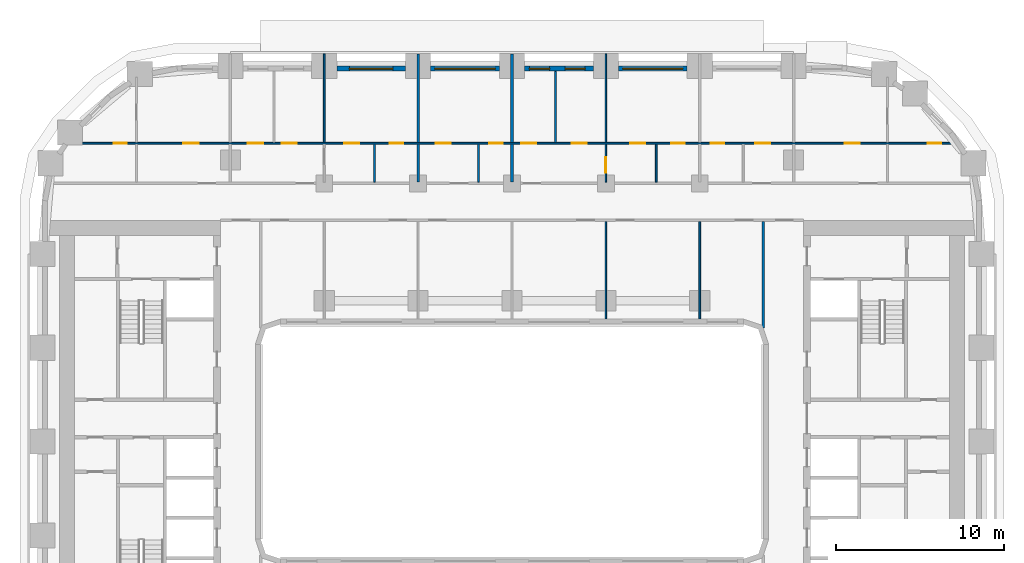
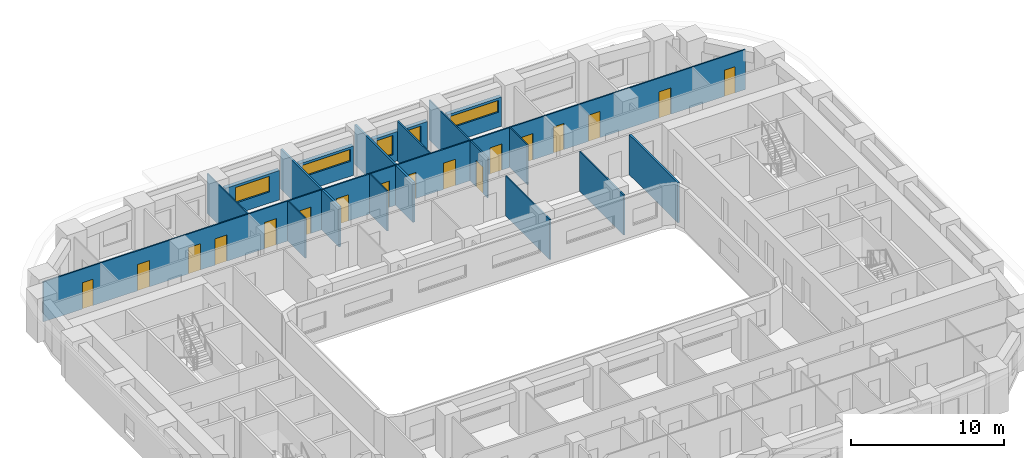
# One storey, part 8 of 20: 19 walls, 17 doors, 5 windows, 22 openings.
"""IFC4 building model written with IfcOpenShell, lengths in metres."""

from ifc_helpers import new_model, si_unit, direction, frame, frame_2d, origin, place, context, subcontext, project, spatial, rectangle, extrude, material, layer, layer_set, type_object, element, fill, save


model = new_model("IFC4")

# Units and contexts
model_context = context("Model", 3, precision=1e-05, world=origin(), true_north=direction((0.0, 1.0)))
body_context = subcontext(model_context, "Body", "Model", "MODEL_VIEW")
ifc_project = project(units=[si_unit("LENGTHUNIT", "METRE"), si_unit("AREAUNIT", "SQUARE_METRE"), si_unit("VOLUMEUNIT", "CUBIC_METRE"), si_unit("PLANEANGLEUNIT", "RADIAN"), si_unit("MASSUNIT", "GRAM", prefix="KILO")], contexts=[model_context])

# Site, building, storey
site_placement = place(None, origin())
site = spatial("IfcSite", under=ifc_project, at=site_placement, CompositionType="ELEMENT")
building_placement = place(site_placement, origin())
building = spatial("IfcBuilding", under=site, at=building_placement, Name="Kiln Ring Residences", CompositionType="ELEMENT")
storey_placement = place(building_placement, frame((0.0, 0.0, 37.5)))
storey = spatial("IfcBuildingStorey", under=building, at=storey_placement, Name="L08", CompositionType="ELEMENT", Elevation=37.5)

# Wall, opening, window
ifc_material_1 = material(Name="Brick masonry, dark clay brick", Category="masonry")
ifc_layer_1 = layer(ifc_material_1, 0.300048828125)
ifc_layer_set_1 = layer_set([ifc_layer_1], Name="EW-300 BRICK WALL")
wall_type_1 = type_object("IfcWallType", Name="EW-300 BRICK WALL", PredefinedType="SOLIDWALL", material=ifc_layer_set_1)
wall_1_placement = place(storey_placement, frame((10.449951171875, 22.25, 0.0), z_axis=(0.0, 0.0, 1.0), x_axis=(-1.0, 0.0, 0.0)))
wall_1 = element("IfcWall", 1, at=wall_1_placement, inside=storey, type_object=wall_type_1, Name="Facade wall L08 30", PredefinedType="SOLIDWALL", context=body_context, shape_type="SweptSolid", body=[
    extrude(rectangle(XDim=4.099853515625, YDim=0.300048828125, at=frame_2d((2.0498046875, 0.0))), origin(), (0.0, 0.0, 1.0), 2.35009765625),
])
opening_1_placement = place(wall_1_placement, frame((0.25, 0.0, 1.199951171875)))
opening_1 = element("IfcOpeningElement", 2, at=opening_1_placement, cuts=wall_1, Name="Opening W4", PredefinedType="OPENING", context=body_context, shape_type="SweptSolid", body=[
    extrude(rectangle(XDim=3.60009765625, YDim=0.949951171875, at=frame_2d((1.800048828125, 0.47509765625))), frame((0.0, 0.159912109375, 0.0), z_axis=(0.0, -1.0, 0.0), x_axis=(1.0, 0.0, 0.0)), (0.0, 0.0, 1.0), 0.320068359375),
])
ifc_material_2 = material(Name="Aluminium frame with double glazing", Category="aluminium")
window_type_1 = type_object("IfcWindowType", Name="WINDOW 3600 x 950", PartitioningType="SINGLE_PANEL", PredefinedType="WINDOW", material=ifc_material_2)
window_1_placement = place(opening_1_placement, origin())
window_1 = element("IfcWindow", 3, at=window_1_placement, inside=storey, type_object=window_type_1, Name="Window L08 15", OverallHeight=0.949951171875, OverallWidth=3.60009765625, PartitioningType="SINGLE_PANEL", PredefinedType="WINDOW", context=body_context, shape_type="SweptSolid", body=[
    extrude(rectangle(XDim=3.60009765625, YDim=0.949951171875, at=frame_2d((1.800048828125, 0.47509765625))), frame((0.0, 0.030029296875, 0.0), z_axis=(0.0, -1.0, 0.0), x_axis=(1.0, 0.0, 0.0)), (0.0, 0.0, 1.0), 0.06005859375),
])
fill(opening_1, window_1)

# Wall, openings, windows
wall_2_placement = place(storey_placement, frame((4.85009765625, 22.25, 0.0), z_axis=(0.0, 0.0, 1.0), x_axis=(-1.0, 0.0, 0.0)))
wall_2 = element("IfcWall", 4, at=wall_2_placement, inside=storey, type_object=wall_type_1, Name="Facade wall L08 31", PredefinedType="SOLIDWALL", context=body_context, shape_type="SweptSolid", body=[
    extrude(rectangle(XDim=4.10009765625, YDim=0.300048828125, at=frame_2d((2.050048828125, 0.0))), origin(), (0.0, 0.0, 1.0), 2.35009765625),
])
opening_2_placement = place(wall_2_placement, frame((0.487548828125, 0.0, 0.60009765625)))
opening_2 = element("IfcOpeningElement", 5, at=opening_2_placement, cuts=wall_2, Name="Opening W1", PredefinedType="OPENING", context=body_context, shape_type="SweptSolid", body=[
    extrude(rectangle(XDim=1.199951171875, YDim=1.550048828125, at=frame_2d((0.60009765625, 0.77490234375))), frame((0.0, 0.159912109375, 0.0), z_axis=(0.0, -1.0, 0.0), x_axis=(1.0, 0.0, 0.0)), (0.0, 0.0, 1.0), 0.320068359375),
])
opening_3_placement = place(wall_2_placement, frame((2.612548828125, 0.0, 0.60009765625)))
opening_3 = element("IfcOpeningElement", 6, at=opening_3_placement, cuts=wall_2, Name="Opening W1", PredefinedType="OPENING", context=body_context, shape_type="SweptSolid", body=[
    extrude(rectangle(XDim=1.199951171875, YDim=1.550048828125, at=frame_2d((0.60009765625, 0.77490234375))), frame((0.0, 0.159912109375, 0.0), z_axis=(0.0, -1.0, 0.0), x_axis=(1.0, 0.0, 0.0)), (0.0, 0.0, 1.0), 0.320068359375),
])
ifc_material_3 = material(Name="Aluminium frame with double glazing", Category="aluminium")
window_type_2 = type_object("IfcWindowType", Name="WINDOW 1200 x 1550", PartitioningType="SINGLE_PANEL", PredefinedType="WINDOW", material=ifc_material_3)
window_2_placement = place(opening_2_placement, origin())
window_2 = element("IfcWindow", 7, at=window_2_placement, inside=storey, type_object=window_type_2, Name="Window L08 16", OverallHeight=1.550048828125, OverallWidth=1.199951171875, PartitioningType="SINGLE_PANEL", PredefinedType="WINDOW", context=body_context, shape_type="SweptSolid", body=[
    extrude(rectangle(XDim=1.199951171875, YDim=1.550048828125, at=frame_2d((0.60009765625, 0.77490234375))), frame((0.0, 0.030029296875, 0.0), z_axis=(0.0, -1.0, 0.0), x_axis=(1.0, 0.0, 0.0)), (0.0, 0.0, 1.0), 0.06005859375),
])
fill(opening_2, window_2)
window_3_placement = place(opening_3_placement, origin())
window_3 = element("IfcWindow", 8, at=window_3_placement, inside=storey, type_object=window_type_2, Name="Window L08 17", OverallHeight=1.550048828125, OverallWidth=1.199951171875, PartitioningType="SINGLE_PANEL", PredefinedType="WINDOW", context=body_context, shape_type="SweptSolid", body=[
    extrude(rectangle(XDim=1.199951171875, YDim=1.550048828125, at=frame_2d((0.60009765625, 0.77490234375))), frame((0.0, 0.030029296875, 0.0), z_axis=(0.0, -1.0, 0.0), x_axis=(1.0, 0.0, 0.0)), (0.0, 0.0, 1.0), 0.06005859375),
])
fill(opening_3, window_3)

# Wall, opening, window
wall_3_placement = place(storey_placement, frame((-0.75, 22.25, 0.0), z_axis=(0.0, 0.0, 1.0), x_axis=(-1.0, 0.0, 0.0)))
wall_3 = element("IfcWall", 9, at=wall_3_placement, inside=storey, type_object=wall_type_1, Name="Facade wall L08 32", PredefinedType="SOLIDWALL", context=body_context, shape_type="SweptSolid", body=[
    extrude(rectangle(XDim=4.10009765625, YDim=0.300048828125, at=frame_2d((2.050048828125, 0.0))), origin(), (0.0, 0.0, 1.0), 2.35009765625),
])
opening_4_placement = place(wall_3_placement, frame((0.25, 0.0, 1.199951171875)))
opening_4 = element("IfcOpeningElement", 10, at=opening_4_placement, cuts=wall_3, Name="Opening W4", PredefinedType="OPENING", context=body_context, shape_type="SweptSolid", body=[
    extrude(rectangle(XDim=3.60009765625, YDim=0.949951171875, at=frame_2d((1.800048828125, 0.47509765625))), frame((0.0, 0.159912109375, 0.0), z_axis=(0.0, -1.0, 0.0), x_axis=(1.0, 0.0, 0.0)), (0.0, 0.0, 1.0), 0.320068359375),
])
window_4_placement = place(opening_4_placement, origin())
window_4 = element("IfcWindow", 11, at=window_4_placement, inside=storey, type_object=window_type_1, Name="Window L08 18", OverallHeight=0.949951171875, OverallWidth=3.60009765625, PartitioningType="SINGLE_PANEL", PredefinedType="WINDOW", context=body_context, shape_type="SweptSolid", body=[
    extrude(rectangle(XDim=3.60009765625, YDim=0.949951171875, at=frame_2d((1.800048828125, 0.47509765625))), frame((0.0, 0.030029296875, 0.0), z_axis=(0.0, -1.0, 0.0), x_axis=(1.0, 0.0, 0.0)), (0.0, 0.0, 1.0), 0.06005859375),
])
fill(opening_4, window_4)

wall_4_placement = place(storey_placement, frame((-6.35009765625, 22.25, 0.0), z_axis=(0.0, 0.0, 1.0), x_axis=(-1.0, 0.0, 0.0)))
wall_4 = element("IfcWall", 12, at=wall_4_placement, inside=storey, type_object=wall_type_1, Name="Facade wall L08 33", PredefinedType="SOLIDWALL", context=body_context, shape_type="SweptSolid", body=[
    extrude(rectangle(XDim=4.099853515625, YDim=0.300048828125, at=frame_2d((2.0498046875, 0.0))), origin(), (0.0, 0.0, 1.0), 2.35009765625),
])
opening_5_placement = place(wall_4_placement, frame((0.75, 0.0, 0.89990234375)))
opening_5 = element("IfcOpeningElement", 13, at=opening_5_placement, cuts=wall_4, Name="Opening W3", PredefinedType="OPENING", context=body_context, shape_type="SweptSolid", body=[
    extrude(rectangle(XDim=2.60009765625, YDim=1.25, at=frame_2d((1.300048828125, 0.625))), frame((0.0, 0.159912109375, 0.0), z_axis=(0.0, -1.0, 0.0), x_axis=(1.0, 0.0, 0.0)), (0.0, 0.0, 1.0), 0.320068359375),
])
ifc_material_4 = material(Name="Aluminium frame with double glazing", Category="aluminium")
window_type_3 = type_object("IfcWindowType", Name="WINDOW 2600 x 1250", PartitioningType="SINGLE_PANEL", PredefinedType="WINDOW", material=ifc_material_4)
window_5_placement = place(opening_5_placement, origin())
window_5 = element("IfcWindow", 14, at=window_5_placement, inside=storey, type_object=window_type_3, Name="Window L08 19", OverallHeight=1.25, OverallWidth=2.60009765625, PartitioningType="SINGLE_PANEL", PredefinedType="WINDOW", context=body_context, shape_type="SweptSolid", body=[
    extrude(rectangle(XDim=2.60009765625, YDim=1.25, at=frame_2d((1.300048828125, 0.625))), frame((0.0, 0.030029296875, 0.0), z_axis=(0.0, -1.0, 0.0), x_axis=(1.0, 0.0, 0.0)), (0.0, 0.0, 1.0), 0.06005859375),
])
fill(opening_5, window_5)

# Wall, openings, doors
ifc_material_5 = material(Name="Gypsum board on steel studs", Category="steel")
ifc_layer_2 = layer(ifc_material_5, 0.10009765625)
ifc_layer_set_2 = layer_set([ifc_layer_2], Name="PARTITION-100")
wall_type_2 = type_object("IfcWallType", Name="PARTITION-100", PredefinedType="PARTITIONING", material=ifc_layer_set_2)
wall_5_placement = place(storey_placement, frame((-26.732177734375, 17.800048828125, 0.0), z_axis=(0.0, 0.0, 1.0), x_axis=(1.0, 0.0, 0.0)))
wall_5 = element("IfcWall", 15, at=wall_5_placement, inside=storey, type_object=wall_type_2, Name="Partition 005", PredefinedType="PARTITIONING", context=body_context, shape_type="SweptSolid", body=[
    extrude(rectangle(XDim=53.126220703125, YDim=0.10009765625, at=frame_2d((26.56298828125, 0.0))), origin(), (0.0, 0.0, 1.0), 3.199951171875),
])
opening_6_placement = place(wall_5_placement, frame((2.964111328125, 0.0, 0.0)))
opening_6 = element("IfcOpeningElement", 16, at=opening_6_placement, cuts=wall_5, Name="Opening L08-D012", PredefinedType="OPENING", context=body_context, shape_type="SweptSolid", body=[
    extrude(rectangle(XDim=0.800048828125, YDim=2.10009765625, at=frame_2d((0.39990234375, 1.050048828125))), frame((0.0, 0.06005859375, 0.0), z_axis=(0.0, -1.0, 0.0), x_axis=(1.0, 0.0, 0.0)), (0.0, 0.0, 1.0), 0.1201171875),
])
opening_7_placement = place(wall_5_placement, frame((7.132080078125, 0.0, 0.0)))
opening_7 = element("IfcOpeningElement", 17, at=opening_7_placement, cuts=wall_5, Name="Opening L08-D013", PredefinedType="OPENING", context=body_context, shape_type="SweptSolid", body=[
    extrude(rectangle(XDim=0.89990234375, YDim=2.10009765625, at=frame_2d((0.449951171875, 1.050048828125))), frame((0.0, 0.06005859375, 0.0), z_axis=(0.0, -1.0, 0.0), x_axis=(1.0, 0.0, 0.0)), (0.0, 0.0, 1.0), 0.1201171875),
])
opening_8_placement = place(wall_5_placement, frame((19.43212890625, 0.0, 0.0)))
opening_8 = element("IfcOpeningElement", 18, at=opening_8_placement, cuts=wall_5, Name="Opening L08-D017", PredefinedType="OPENING", context=body_context, shape_type="SweptSolid", body=[
    extrude(rectangle(XDim=0.800048828125, YDim=2.10009765625, at=frame_2d((0.39990234375, 1.050048828125))), frame((0.0, 0.06005859375, 0.0), z_axis=(0.0, -1.0, 0.0), x_axis=(1.0, 0.0, 0.0)), (0.0, 0.0, 1.0), 0.1201171875),
])
opening_9_placement = place(wall_5_placement, frame((16.732177734375, 0.0, 0.0)))
opening_9 = element("IfcOpeningElement", 19, at=opening_9_placement, cuts=wall_5, Name="Opening L08-D018", PredefinedType="OPENING", context=body_context, shape_type="SweptSolid", body=[
    extrude(rectangle(XDim=0.89990234375, YDim=2.10009765625, at=frame_2d((0.449951171875, 1.050048828125))), frame((0.0, 0.06005859375, 0.0), z_axis=(0.0, -1.0, 0.0), x_axis=(1.0, 0.0, 0.0)), (0.0, 0.0, 1.0), 0.1201171875),
])
opening_10_placement = place(wall_5_placement, frame((10.982177734375, 0.0, 0.0)))
opening_10 = element("IfcOpeningElement", 20, at=opening_10_placement, cuts=wall_5, Name="Opening L08-D019", PredefinedType="OPENING", context=body_context, shape_type="SweptSolid", body=[
    extrude(rectangle(XDim=0.89990234375, YDim=2.10009765625, at=frame_2d((0.449951171875, 1.050048828125))), frame((0.0, 0.06005859375, 0.0), z_axis=(0.0, -1.0, 0.0), x_axis=(1.0, 0.0, 0.0)), (0.0, 0.0, 1.0), 0.1201171875),
])
opening_11_placement = place(wall_5_placement, frame((12.982177734375, 0.0, 0.0)))
opening_11 = element("IfcOpeningElement", 21, at=opening_11_placement, cuts=wall_5, Name="Opening L08-D020", PredefinedType="OPENING", context=body_context, shape_type="SweptSolid", body=[
    extrude(rectangle(XDim=0.89990234375, YDim=2.10009765625, at=frame_2d((0.449951171875, 1.050048828125))), frame((0.0, 0.06005859375, 0.0), z_axis=(0.0, -1.0, 0.0), x_axis=(1.0, 0.0, 0.0)), (0.0, 0.0, 1.0), 0.1201171875),
])
opening_12_placement = place(wall_5_placement, frame((25.382080078125, 0.0, 0.0)))
opening_12 = element("IfcOpeningElement", 22, at=opening_12_placement, cuts=wall_5, Name="Opening L08-D022", PredefinedType="OPENING", context=body_context, shape_type="SweptSolid", body=[
    extrude(rectangle(XDim=0.800048828125, YDim=2.10009765625, at=frame_2d((0.39990234375, 1.050048828125))), frame((0.0, 0.06005859375, 0.0), z_axis=(0.0, -1.0, 0.0), x_axis=(1.0, 0.0, 0.0)), (0.0, 0.0, 1.0), 0.1201171875),
])
opening_13_placement = place(wall_5_placement, frame((22.18212890625, 0.0, 0.0)))
opening_13 = element("IfcOpeningElement", 23, at=opening_13_placement, cuts=wall_5, Name="Opening L08-D023", PredefinedType="OPENING", context=body_context, shape_type="SweptSolid", body=[
    extrude(rectangle(XDim=0.89990234375, YDim=2.10009765625, at=frame_2d((0.449951171875, 1.050048828125))), frame((0.0, 0.06005859375, 0.0), z_axis=(0.0, -1.0, 0.0), x_axis=(1.0, 0.0, 0.0)), (0.0, 0.0, 1.0), 0.1201171875),
])
opening_14_placement = place(wall_5_placement, frame((36.232177734375, 0.0, 0.0)))
opening_14 = element("IfcOpeningElement", 24, at=opening_14_placement, cuts=wall_5, Name="Opening L08-D026", PredefinedType="OPENING", context=body_context, shape_type="SweptSolid", body=[
    extrude(rectangle(XDim=0.800048828125, YDim=2.10009765625, at=frame_2d((0.39990234375, 1.050048828125))), frame((0.0, 0.06005859375, 0.0), z_axis=(0.0, -1.0, 0.0), x_axis=(1.0, 0.0, 0.0)), (0.0, 0.0, 1.0), 0.1201171875),
])
opening_15_placement = place(wall_5_placement, frame((33.781982421875, 0.0, 0.0)))
opening_15 = element("IfcOpeningElement", 25, at=opening_15_placement, cuts=wall_5, Name="Opening L08-D027", PredefinedType="OPENING", context=body_context, shape_type="SweptSolid", body=[
    extrude(rectangle(XDim=0.89990234375, YDim=2.10009765625, at=frame_2d((0.449951171875, 1.050048828125))), frame((0.0, 0.06005859375, 0.0), z_axis=(0.0, -1.0, 0.0), x_axis=(1.0, 0.0, 0.0)), (0.0, 0.0, 1.0), 0.1201171875),
])
opening_16_placement = place(wall_5_placement, frame((27.281982421875, 0.0, 0.0)))
opening_16 = element("IfcOpeningElement", 26, at=opening_16_placement, cuts=wall_5, Name="Opening L08-D028", PredefinedType="OPENING", context=body_context, shape_type="SweptSolid", body=[
    extrude(rectangle(XDim=0.89990234375, YDim=2.10009765625, at=frame_2d((0.449951171875, 1.050048828125))), frame((0.0, 0.06005859375, 0.0), z_axis=(0.0, -1.0, 0.0), x_axis=(1.0, 0.0, 0.0)), (0.0, 0.0, 1.0), 0.1201171875),
])
opening_17_placement = place(wall_5_placement, frame((30.281982421875, 0.0, 0.0)))
opening_17 = element("IfcOpeningElement", 27, at=opening_17_placement, cuts=wall_5, Name="Opening L08-D029", PredefinedType="OPENING", context=body_context, shape_type="SweptSolid", body=[
    extrude(rectangle(XDim=0.89990234375, YDim=2.10009765625, at=frame_2d((0.449951171875, 1.050048828125))), frame((0.0, 0.06005859375, 0.0), z_axis=(0.0, -1.0, 0.0), x_axis=(1.0, 0.0, 0.0)), (0.0, 0.0, 1.0), 0.1201171875),
])
opening_18_placement = place(wall_5_placement, frame((38.58203125, 0.0, 0.0)))
opening_18 = element("IfcOpeningElement", 28, at=opening_18_placement, cuts=wall_5, Name="Opening L08-D031", PredefinedType="OPENING", context=body_context, shape_type="SweptSolid", body=[
    extrude(rectangle(XDim=0.800048828125, YDim=2.10009765625, at=frame_2d((0.39990234375, 1.050048828125))), frame((0.0, 0.06005859375, 0.0), z_axis=(0.0, -1.0, 0.0), x_axis=(1.0, 0.0, 0.0)), (0.0, 0.0, 1.0), 0.1201171875),
])
opening_19_placement = place(wall_5_placement, frame((41.232177734375, 0.0, 0.0)))
opening_19 = element("IfcOpeningElement", 29, at=opening_19_placement, cuts=wall_5, Name="Opening L08-D032", PredefinedType="OPENING", context=body_context, shape_type="SweptSolid", body=[
    extrude(rectangle(XDim=0.89990234375, YDim=2.10009765625, at=frame_2d((0.449951171875, 1.050048828125))), frame((0.0, 0.06005859375, 0.0), z_axis=(0.0, -1.0, 0.0), x_axis=(1.0, 0.0, 0.0)), (0.0, 0.0, 1.0), 0.1201171875),
])
opening_20_placement = place(wall_5_placement, frame((51.531982421875, 0.0, 0.0)))
opening_20 = element("IfcOpeningElement", 30, at=opening_20_placement, cuts=wall_5, Name="Opening L08-D034", PredefinedType="OPENING", context=body_context, shape_type="SweptSolid", body=[
    extrude(rectangle(XDim=0.800048828125, YDim=2.10009765625, at=frame_2d((0.39990234375, 1.050048828125))), frame((0.0, 0.06005859375, 0.0), z_axis=(0.0, -1.0, 0.0), x_axis=(1.0, 0.0, 0.0)), (0.0, 0.0, 1.0), 0.1201171875),
])
opening_21_placement = place(wall_5_placement, frame((46.58203125, 0.0, 0.0)))
opening_21 = element("IfcOpeningElement", 31, at=opening_21_placement, cuts=wall_5, Name="Opening L08-D035", PredefinedType="OPENING", context=body_context, shape_type="SweptSolid", body=[
    extrude(rectangle(XDim=0.89990234375, YDim=2.10009765625, at=frame_2d((0.449951171875, 1.050048828125))), frame((0.0, 0.06005859375, 0.0), z_axis=(0.0, -1.0, 0.0), x_axis=(1.0, 0.0, 0.0)), (0.0, 0.0, 1.0), 0.1201171875),
])
ifc_material_6 = material(Name="Timber door leaf", Category="wood")
door_type_1 = type_object("IfcDoorType", Name="FLAT-DOOR-800-PL", OperationType="SINGLE_SWING_LEFT", PredefinedType="DOOR", material=ifc_material_6)
door_1_placement = place(opening_6_placement, origin())
door_1 = element("IfcDoor", 32, at=door_1_placement, inside=storey, type_object=door_type_1, Name="Door L08-D012", OperationType="SINGLE_SWING_RIGHT", OverallHeight=2.10009765625, OverallWidth=0.800048828125, PredefinedType="DOOR", context=body_context, shape_type="SweptSolid", body=[
    extrude(rectangle(XDim=0.800048828125, YDim=2.10009765625, at=frame_2d((0.39990234375, 1.050048828125))), frame((0.0, 0.02490234375, 0.0), z_axis=(0.0, -1.0, 0.0), x_axis=(1.0, 0.0, 0.0)), (0.0, 0.0, 1.0), 0.050048828125),
])
fill(opening_6, door_1)
door_2_placement = place(opening_8_placement, origin())
door_2 = element("IfcDoor", 33, at=door_2_placement, inside=storey, type_object=door_type_1, Name="Door L08-D017", OperationType="SINGLE_SWING_LEFT", OverallHeight=2.10009765625, OverallWidth=0.800048828125, PredefinedType="DOOR", context=body_context, shape_type="SweptSolid", body=[
    extrude(rectangle(XDim=0.800048828125, YDim=2.10009765625, at=frame_2d((0.39990234375, 1.050048828125))), frame((0.0, 0.02490234375, 0.0), z_axis=(0.0, -1.0, 0.0), x_axis=(1.0, 0.0, 0.0)), (0.0, 0.0, 1.0), 0.050048828125),
])
fill(opening_8, door_2)
door_3_placement = place(opening_12_placement, origin())
door_3 = element("IfcDoor", 34, at=door_3_placement, inside=storey, type_object=door_type_1, Name="Door L08-D022", OperationType="SINGLE_SWING_RIGHT", OverallHeight=2.10009765625, OverallWidth=0.800048828125, PredefinedType="DOOR", context=body_context, shape_type="SweptSolid", body=[
    extrude(rectangle(XDim=0.800048828125, YDim=2.10009765625, at=frame_2d((0.39990234375, 1.050048828125))), frame((0.0, 0.02490234375, 0.0), z_axis=(0.0, -1.0, 0.0), x_axis=(1.0, 0.0, 0.0)), (0.0, 0.0, 1.0), 0.050048828125),
])
fill(opening_12, door_3)
door_4_placement = place(opening_14_placement, origin())
door_4 = element("IfcDoor", 35, at=door_4_placement, inside=storey, type_object=door_type_1, Name="Door L08-D026", OperationType="SINGLE_SWING_RIGHT", OverallHeight=2.10009765625, OverallWidth=0.800048828125, PredefinedType="DOOR", context=body_context, shape_type="SweptSolid", body=[
    extrude(rectangle(XDim=0.800048828125, YDim=2.10009765625, at=frame_2d((0.39990234375, 1.050048828125))), frame((0.0, 0.02490234375, 0.0), z_axis=(0.0, -1.0, 0.0), x_axis=(1.0, 0.0, 0.0)), (0.0, 0.0, 1.0), 0.050048828125),
])
fill(opening_14, door_4)
door_5_placement = place(opening_18_placement, origin())
door_5 = element("IfcDoor", 36, at=door_5_placement, inside=storey, type_object=door_type_1, Name="Door L08-D031", OperationType="SINGLE_SWING_LEFT", OverallHeight=2.10009765625, OverallWidth=0.800048828125, PredefinedType="DOOR", context=body_context, shape_type="SweptSolid", body=[
    extrude(rectangle(XDim=0.800048828125, YDim=2.10009765625, at=frame_2d((0.39990234375, 1.050048828125))), frame((0.0, 0.02490234375, 0.0), z_axis=(0.0, -1.0, 0.0), x_axis=(1.0, 0.0, 0.0)), (0.0, 0.0, 1.0), 0.050048828125),
])
fill(opening_18, door_5)
door_6_placement = place(opening_20_placement, origin())
door_6 = element("IfcDoor", 37, at=door_6_placement, inside=storey, type_object=door_type_1, Name="Door L08-D034", OperationType="SINGLE_SWING_RIGHT", OverallHeight=2.10009765625, OverallWidth=0.800048828125, PredefinedType="DOOR", context=body_context, shape_type="SweptSolid", body=[
    extrude(rectangle(XDim=0.800048828125, YDim=2.10009765625, at=frame_2d((0.39990234375, 1.050048828125))), frame((0.0, 0.02490234375, 0.0), z_axis=(0.0, -1.0, 0.0), x_axis=(1.0, 0.0, 0.0)), (0.0, 0.0, 1.0), 0.050048828125),
])
fill(opening_20, door_6)
ifc_material_7 = material(Name="Timber door leaf", Category="wood")
door_type_2 = type_object("IfcDoorType", Name="FLAT-DOOR-900-PL", OperationType="SINGLE_SWING_LEFT", PredefinedType="DOOR", material=ifc_material_7)
door_7_placement = place(opening_7_placement, origin())
door_7 = element("IfcDoor", 38, at=door_7_placement, inside=storey, type_object=door_type_2, Name="Door L08-D013", OperationType="SINGLE_SWING_LEFT", OverallHeight=2.10009765625, OverallWidth=0.89990234375, PredefinedType="DOOR", context=body_context, shape_type="SweptSolid", body=[
    extrude(rectangle(XDim=0.89990234375, YDim=2.10009765625, at=frame_2d((0.449951171875, 1.050048828125))), frame((0.0, 0.02490234375, 0.0), z_axis=(0.0, -1.0, 0.0), x_axis=(1.0, 0.0, 0.0)), (0.0, 0.0, 1.0), 0.050048828125),
])
fill(opening_7, door_7)
door_8_placement = place(opening_9_placement, origin())
door_8 = element("IfcDoor", 39, at=door_8_placement, inside=storey, type_object=door_type_2, Name="Door L08-D018", OperationType="SINGLE_SWING_RIGHT", OverallHeight=2.10009765625, OverallWidth=0.89990234375, PredefinedType="DOOR", context=body_context, shape_type="SweptSolid", body=[
    extrude(rectangle(XDim=0.89990234375, YDim=2.10009765625, at=frame_2d((0.449951171875, 1.050048828125))), frame((0.0, 0.02490234375, 0.0), z_axis=(0.0, -1.0, 0.0), x_axis=(1.0, 0.0, 0.0)), (0.0, 0.0, 1.0), 0.050048828125),
])
fill(opening_9, door_8)
door_9_placement = place(opening_10_placement, origin())
door_9 = element("IfcDoor", 40, at=door_9_placement, inside=storey, type_object=door_type_2, Name="Door L08-D019", OperationType="SINGLE_SWING_LEFT", OverallHeight=2.10009765625, OverallWidth=0.89990234375, PredefinedType="DOOR", context=body_context, shape_type="SweptSolid", body=[
    extrude(rectangle(XDim=0.89990234375, YDim=2.10009765625, at=frame_2d((0.449951171875, 1.050048828125))), frame((0.0, 0.02490234375, 0.0), z_axis=(0.0, -1.0, 0.0), x_axis=(1.0, 0.0, 0.0)), (0.0, 0.0, 1.0), 0.050048828125),
])
fill(opening_10, door_9)
door_10_placement = place(opening_11_placement, origin())
door_10 = element("IfcDoor", 41, at=door_10_placement, inside=storey, type_object=door_type_2, Name="Door L08-D020", OperationType="SINGLE_SWING_RIGHT", OverallHeight=2.10009765625, OverallWidth=0.89990234375, PredefinedType="DOOR", context=body_context, shape_type="SweptSolid", body=[
    extrude(rectangle(XDim=0.89990234375, YDim=2.10009765625, at=frame_2d((0.449951171875, 1.050048828125))), frame((0.0, 0.02490234375, 0.0), z_axis=(0.0, -1.0, 0.0), x_axis=(1.0, 0.0, 0.0)), (0.0, 0.0, 1.0), 0.050048828125),
])
fill(opening_11, door_10)
door_11_placement = place(opening_13_placement, origin())
door_11 = element("IfcDoor", 42, at=door_11_placement, inside=storey, type_object=door_type_2, Name="Door L08-D023", OperationType="SINGLE_SWING_RIGHT", OverallHeight=2.10009765625, OverallWidth=0.89990234375, PredefinedType="DOOR", context=body_context, shape_type="SweptSolid", body=[
    extrude(rectangle(XDim=0.89990234375, YDim=2.10009765625, at=frame_2d((0.449951171875, 1.050048828125))), frame((0.0, 0.02490234375, 0.0), z_axis=(0.0, -1.0, 0.0), x_axis=(1.0, 0.0, 0.0)), (0.0, 0.0, 1.0), 0.050048828125),
])
fill(opening_13, door_11)
door_12_placement = place(opening_15_placement, origin())
door_12 = element("IfcDoor", 43, at=door_12_placement, inside=storey, type_object=door_type_2, Name="Door L08-D027", OperationType="SINGLE_SWING_LEFT", OverallHeight=2.10009765625, OverallWidth=0.89990234375, PredefinedType="DOOR", context=body_context, shape_type="SweptSolid", body=[
    extrude(rectangle(XDim=0.89990234375, YDim=2.10009765625, at=frame_2d((0.449951171875, 1.050048828125))), frame((0.0, 0.02490234375, 0.0), z_axis=(0.0, -1.0, 0.0), x_axis=(1.0, 0.0, 0.0)), (0.0, 0.0, 1.0), 0.050048828125),
])
fill(opening_15, door_12)
door_13_placement = place(opening_16_placement, origin())
door_13 = element("IfcDoor", 44, at=door_13_placement, inside=storey, type_object=door_type_2, Name="Door L08-D028", OperationType="SINGLE_SWING_RIGHT", OverallHeight=2.10009765625, OverallWidth=0.89990234375, PredefinedType="DOOR", context=body_context, shape_type="SweptSolid", body=[
    extrude(rectangle(XDim=0.89990234375, YDim=2.10009765625, at=frame_2d((0.449951171875, 1.050048828125))), frame((0.0, 0.02490234375, 0.0), z_axis=(0.0, -1.0, 0.0), x_axis=(1.0, 0.0, 0.0)), (0.0, 0.0, 1.0), 0.050048828125),
])
fill(opening_16, door_13)
door_14_placement = place(opening_17_placement, origin())
door_14 = element("IfcDoor", 45, at=door_14_placement, inside=storey, type_object=door_type_2, Name="Door L08-D029", OperationType="SINGLE_SWING_LEFT", OverallHeight=2.10009765625, OverallWidth=0.89990234375, PredefinedType="DOOR", context=body_context, shape_type="SweptSolid", body=[
    extrude(rectangle(XDim=0.89990234375, YDim=2.10009765625, at=frame_2d((0.449951171875, 1.050048828125))), frame((0.0, 0.02490234375, 0.0), z_axis=(0.0, -1.0, 0.0), x_axis=(1.0, 0.0, 0.0)), (0.0, 0.0, 1.0), 0.050048828125),
])
fill(opening_17, door_14)
door_15_placement = place(opening_19_placement, origin())
door_15 = element("IfcDoor", 46, at=door_15_placement, inside=storey, type_object=door_type_2, Name="Door L08-D032", OperationType="SINGLE_SWING_RIGHT", OverallHeight=2.10009765625, OverallWidth=0.89990234375, PredefinedType="DOOR", context=body_context, shape_type="SweptSolid", body=[
    extrude(rectangle(XDim=0.89990234375, YDim=2.10009765625, at=frame_2d((0.449951171875, 1.050048828125))), frame((0.0, 0.02490234375, 0.0), z_axis=(0.0, -1.0, 0.0), x_axis=(1.0, 0.0, 0.0)), (0.0, 0.0, 1.0), 0.050048828125),
])
fill(opening_19, door_15)
door_16_placement = place(opening_21_placement, origin())
door_16 = element("IfcDoor", 47, at=door_16_placement, inside=storey, type_object=door_type_2, Name="Door L08-D035", OperationType="SINGLE_SWING_LEFT", OverallHeight=2.10009765625, OverallWidth=0.89990234375, PredefinedType="DOOR", context=body_context, shape_type="SweptSolid", body=[
    extrude(rectangle(XDim=0.89990234375, YDim=2.10009765625, at=frame_2d((0.449951171875, 1.050048828125))), frame((0.0, 0.02490234375, 0.0), z_axis=(0.0, -1.0, 0.0), x_axis=(1.0, 0.0, 0.0)), (0.0, 0.0, 1.0), 0.050048828125),
])
fill(opening_21, door_16)

# Walls
wall_6_placement = place(storey_placement, frame((-11.199951171875, 17.85009765625, 0.0), z_axis=(0.0, 0.0, 1.0), x_axis=(0.0, 1.0, 0.0)))
element("IfcWall", 48, at=wall_6_placement, inside=storey, type_object=wall_type_2, Name="Partition 021", PredefinedType="PARTITIONING", context=body_context, shape_type="SweptSolid", body=[
    extrude(rectangle(XDim=5.27978515625, YDim=0.10009765625, at=frame_2d((2.639892578125, 0.0))), origin(), (0.0, 0.0, 1.0), 3.199951171875),
])
for number, where, z_axis, x_axis, name in (
    (49, (-8.199951171875, 15.47509765625, 0.0), (0.0, 0.0, 1.0), (0.0, 1.0, 0.0), "Partition 025"),
    (50, (-2.0, 15.47509765625, 0.0), (0.0, 0.0, 1.0), (0.0, 1.0, 0.0), "Partition 033"),
):
    element("IfcWall", number, at=place(storey_placement, frame(where, z_axis=z_axis, x_axis=x_axis)), inside=storey, type_object=wall_type_2, Name=name, PredefinedType="PARTITIONING", context=body_context, shape_type="SweptSolid", body=[
        extrude(rectangle(XDim=2.27490234375, YDim=0.10009765625, at=frame_2d((1.137451171875, 0.0))), origin(), (0.0, 0.0, 1.0), 3.199951171875),
    ])
wall_7_placement = place(storey_placement, frame((2.60009765625, 17.85009765625, 0.0), z_axis=(0.0, 0.0, 1.0), x_axis=(0.0, 1.0, 0.0)))
element("IfcWall", 51, at=wall_7_placement, inside=storey, type_object=wall_type_2, Name="Partition 040", PredefinedType="PARTITIONING", context=body_context, shape_type="SweptSolid", body=[
    extrude(rectangle(XDim=4.22998046875, YDim=0.10009765625, at=frame_2d((2.114990234375, 0.0))), origin(), (0.0, 0.0, 1.0), 3.199951171875),
])
wall_8_placement = place(storey_placement, frame((5.60009765625, 7.320068359375, 0.0), z_axis=(0.0, 0.0, 1.0), x_axis=(0.0, 1.0, 0.0)))
element("IfcWall", 52, at=wall_8_placement, inside=storey, type_object=wall_type_2, Name="Partition 043", PredefinedType="PARTITIONING", context=body_context, shape_type="SweptSolid", body=[
    extrude(rectangle(XDim=5.804931640625, YDim=0.10009765625, at=frame_2d((2.90234375, 0.0))), origin(), (0.0, 0.0, 1.0), 3.199951171875),
])

# Wall, opening, door
wall_9_placement = place(storey_placement, frame((5.60009765625, 15.47509765625, 0.0), z_axis=(0.0, 0.0, 1.0), x_axis=(0.0, 1.0, 0.0)))
wall_9 = element("IfcWall", 53, at=wall_9_placement, inside=storey, type_object=wall_type_2, Name="Partition 044", PredefinedType="PARTITIONING", context=body_context, shape_type="SweptSolid", body=[
    extrude(rectangle(XDim=2.27490234375, YDim=0.10009765625, at=frame_2d((1.137451171875, 0.0))), origin(), (0.0, 0.0, 1.0), 3.199951171875),
])
opening_22_placement = place(wall_9_placement, frame((0.575927734375, 0.0, 0.0)))
opening_22 = element("IfcOpeningElement", 54, at=opening_22_placement, cuts=wall_9, Name="Opening L08-D025", PredefinedType="OPENING", context=body_context, shape_type="SweptSolid", body=[
    extrude(rectangle(XDim=0.89990234375, YDim=2.10009765625, at=frame_2d((0.449951171875, 1.050048828125))), frame((0.0, 0.06005859375, 0.0), z_axis=(0.0, -1.0, 0.0), x_axis=(1.0, 0.0, 0.0)), (0.0, 0.0, 1.0), 0.1201171875),
])
door_17_placement = place(opening_22_placement, origin())
door_17 = element("IfcDoor", 55, at=door_17_placement, inside=storey, type_object=door_type_2, Name="Door L08-D025", OperationType="SINGLE_SWING_LEFT", OverallHeight=2.10009765625, OverallWidth=0.89990234375, PredefinedType="DOOR", context=body_context, shape_type="SweptSolid", body=[
    extrude(rectangle(XDim=0.89990234375, YDim=2.10009765625, at=frame_2d((0.449951171875, 1.050048828125))), frame((0.0, 0.02490234375, 0.0), z_axis=(0.0, -1.0, 0.0), x_axis=(1.0, 0.0, 0.0)), (0.0, 0.0, 1.0), 0.050048828125),
])
fill(opening_22, door_17)

# Walls
wall_10_placement = place(storey_placement, frame((5.60009765625, 17.85009765625, 0.0), z_axis=(0.0, 0.0, 1.0), x_axis=(0.0, 1.0, 0.0)))
element("IfcWall", 56, at=wall_10_placement, inside=storey, type_object=wall_type_2, Name="Partition 045", PredefinedType="PARTITIONING", context=body_context, shape_type="SweptSolid", body=[
    extrude(rectangle(XDim=5.27978515625, YDim=0.10009765625, at=frame_2d((2.639892578125, 0.0))), origin(), (0.0, 0.0, 1.0), 3.199951171875),
])
wall_11_placement = place(storey_placement, frame((8.60009765625, 15.47509765625, 0.0), z_axis=(0.0, 0.0, 1.0), x_axis=(0.0, 1.0, 0.0)))
element("IfcWall", 57, at=wall_11_placement, inside=storey, type_object=wall_type_2, Name="Partition 049", PredefinedType="PARTITIONING", context=body_context, shape_type="SweptSolid", body=[
    extrude(rectangle(XDim=2.27490234375, YDim=0.10009765625, at=frame_2d((1.137451171875, 0.0))), origin(), (0.0, 0.0, 1.0), 3.199951171875),
])
wall_12_placement = place(storey_placement, frame((11.199951171875, 7.320068359375, 0.0), z_axis=(0.0, 0.0, 1.0), x_axis=(0.0, 1.0, 0.0)))
element("IfcWall", 58, at=wall_12_placement, inside=storey, type_object=wall_type_2, Name="Partition 053", PredefinedType="PARTITIONING", context=body_context, shape_type="SweptSolid", body=[
    extrude(rectangle(XDim=5.804931640625, YDim=0.10009765625, at=frame_2d((2.90234375, 0.0))), origin(), (0.0, 0.0, 1.0), 3.199951171875),
])
ifc_material_8 = material(Name="Brick masonry partition", Category="masonry")
ifc_layer_3 = layer(ifc_material_8, 0.14990234375)
ifc_layer_set_3 = layer_set([ifc_layer_3], Name="PARTITION-150-ei60")
wall_type_3 = type_object("IfcWallType", Name="PARTITION-150-ei60", PredefinedType="PARTITIONING", material=ifc_layer_set_3)
wall_13_placement = place(storey_placement, frame((-5.60009765625, 15.47509765625, 0.0), z_axis=(0.0, 0.0, 1.0), x_axis=(0.0, 1.0, 0.0)))
element("IfcWall", 59, at=wall_13_placement, inside=storey, type_object=wall_type_3, Name="Partition 030", PredefinedType="PARTITIONING", context=body_context, shape_type="SweptSolid", body=[
    extrude(rectangle(XDim=2.27490234375, YDim=0.14990234375, at=frame_2d((1.137451171875, 0.0))), origin(), (0.0, 0.0, 1.0), 3.199951171875),
])
wall_14_placement = place(storey_placement, frame((-5.60009765625, 17.85009765625, 0.0), z_axis=(0.0, 0.0, 1.0), x_axis=(0.0, 1.0, 0.0)))
element("IfcWall", 60, at=wall_14_placement, inside=storey, type_object=wall_type_3, Name="Partition 031", PredefinedType="PARTITIONING", context=body_context, shape_type="SweptSolid", body=[
    extrude(rectangle(XDim=5.27978515625, YDim=0.14990234375, at=frame_2d((2.639892578125, 0.0))), origin(), (0.0, 0.0, 1.0), 3.199951171875),
])
wall_15_placement = place(storey_placement, frame((0.0, 15.47509765625, 0.0), z_axis=(0.0, 0.0, 1.0), x_axis=(0.0, 1.0, 0.0)))
element("IfcWall", 61, at=wall_15_placement, inside=storey, type_object=wall_type_3, Name="Partition 038", PredefinedType="PARTITIONING", context=body_context, shape_type="SweptSolid", body=[
    extrude(rectangle(XDim=2.27490234375, YDim=0.14990234375, at=frame_2d((1.137451171875, 0.0))), origin(), (0.0, 0.0, 1.0), 3.199951171875),
])
wall_16_placement = place(storey_placement, frame((0.0, 17.85009765625, 0.0), z_axis=(0.0, 0.0, 1.0), x_axis=(0.0, 1.0, 0.0)))
element("IfcWall", 62, at=wall_16_placement, inside=storey, type_object=wall_type_3, Name="Partition 039", PredefinedType="PARTITIONING", context=body_context, shape_type="SweptSolid", body=[
    extrude(rectangle(XDim=5.27978515625, YDim=0.14990234375, at=frame_2d((2.639892578125, 0.0))), origin(), (0.0, 0.0, 1.0), 3.199951171875),
])
wall_17_placement = place(storey_placement, frame((15.0, 6.768798828125, 0.0), z_axis=(0.0, 0.0, 1.0), x_axis=(0.0, 1.0, 0.0)))
element("IfcWall", 63, at=wall_17_placement, inside=storey, type_object=wall_type_3, Name="Partition 059", PredefinedType="PARTITIONING", context=body_context, shape_type="SweptSolid", body=[
    extrude(rectangle(XDim=6.356201171875, YDim=0.14990234375, at=frame_2d((3.17822265625, 0.0))), origin(), (0.0, 0.0, 1.0), 3.199951171875),
])

save(model, "model.ifc")
